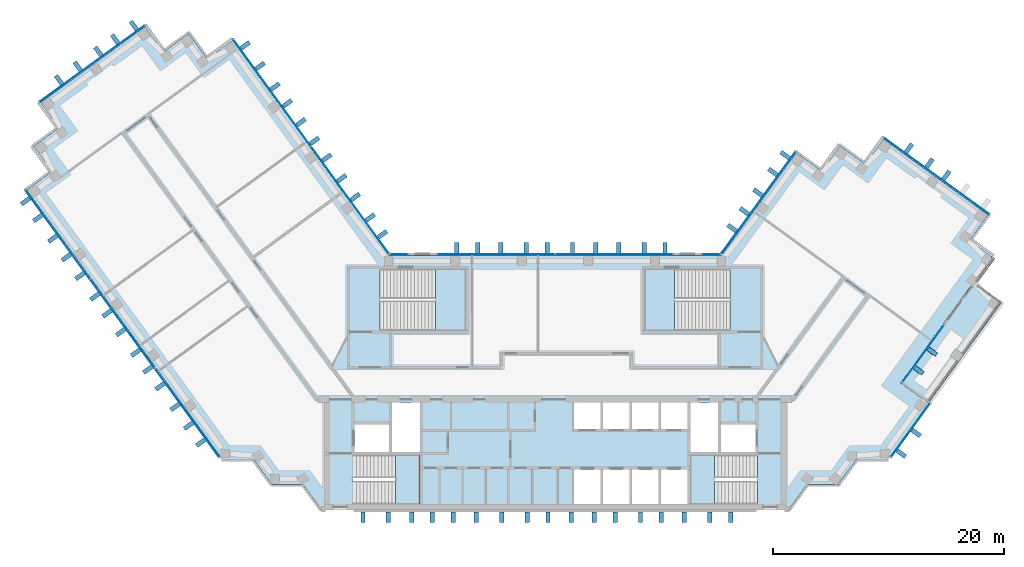
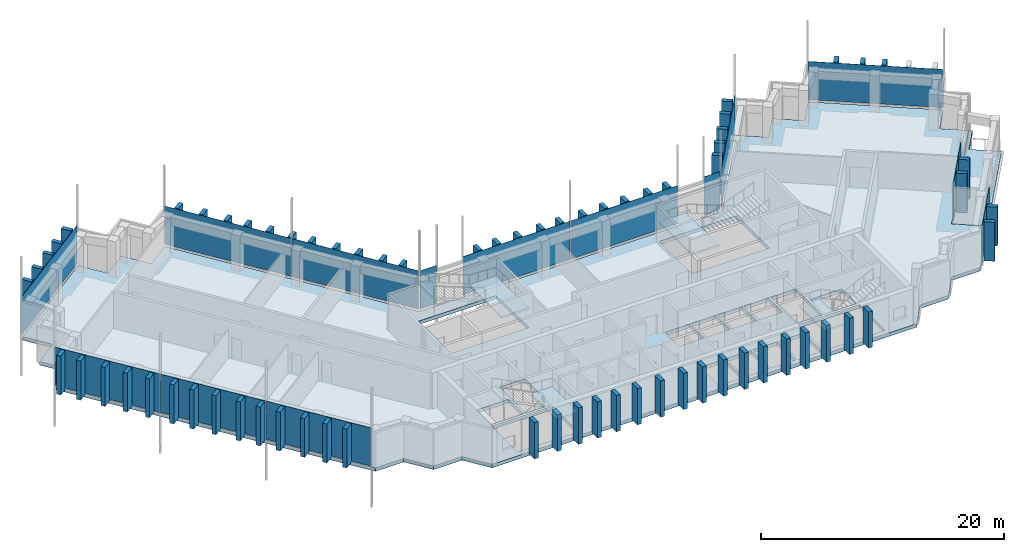
# One storey, part 6 of 14: 83 plates, 6 slabs, 14 elements without a shape of their own.
"""IFC4 building model written with IfcOpenShell, lengths in metres."""

from ifc_helpers import new_model, si_unit, direction, frame, origin, origin_2d, place, context, subcontext, project, spatial, polyline, rectangle, outline, extrude, material, layer, layer_set, type_object, element, aggregate, save


model = new_model("IFC4")

# Units and contexts
model_context = context("Model", 3, precision=1e-05, world=origin(), true_north=direction((0.0, 1.0)))
body_context = subcontext(model_context, "Body", "Model", "MODEL_VIEW")
ifc_project = project(units=[si_unit("LENGTHUNIT", "METRE"), si_unit("AREAUNIT", "SQUARE_METRE"), si_unit("VOLUMEUNIT", "CUBIC_METRE"), si_unit("PLANEANGLEUNIT", "RADIAN"), si_unit("MASSUNIT", "GRAM", prefix="KILO")], contexts=[model_context])

# Site, building, storey
site_placement = place(None, origin())
site = spatial("IfcSite", under=ifc_project, at=site_placement, CompositionType="ELEMENT")
building_placement = place(site_placement, origin())
building = spatial("IfcBuilding", under=site, at=building_placement, Name="Quipu Civic Tower", CompositionType="ELEMENT")
storey_placement = place(building_placement, frame((0.0, 0.0, 198.0)))
storey = spatial("IfcBuildingStorey", under=building, at=storey_placement, Name="L46", CompositionType="ELEMENT", Elevation=198.0)

# Slab
ifc_material_1 = material(Name="Concrete C40/50", Category="concrete")
ifc_layer_1 = layer(ifc_material_1, 0.35009765625)
ifc_layer_set_1 = layer_set([ifc_layer_1], Name="Concrete C40/50")
slab_type_1 = type_object("IfcSlabType", Name="Floor slab 350 C40/50", PredefinedType="FLOOR", material=ifc_layer_set_1)
slab_1_placement = place(storey_placement, frame((0.0, 0.0, -0.35009765625)))
element("IfcSlab", 1, at=slab_1_placement, inside=storey, type_object=slab_type_1, Name="Floor slab L46", PredefinedType="FLOOR", context=body_context, shape_type="SweptSolid", body=[
    extrude(outline(polyline([(24.489990234375, -8.81494140625), (21.7900390625, -8.81494140625), (20.205078125, -11.0), (-20.205078125, -11.0), (-21.7900390625, -8.81494140625), (-24.489990234375, -8.81494140625), (-26.080078125, -6.6298828125), (-28.780029296875, -6.6298828125), (-45.7099609375, 16.669921875), (-43.52490234375, 18.260009765625), (-45.114990234375, 20.445068359375), (-42.929931640625, 22.030029296875), (-44.514892578125, 24.215087890625), (-35.455078125, 30.800048828125), (-33.864990234375, 28.614990234375), (-31.68505859375, 30.199951171875), (-30.094970703125, 28.014892578125), (-27.909912109375, 29.60498046875), (-14.39501953125, 11.0), (14.39501953125, 11.0), (20.860107421875, 19.89501953125), (23.0400390625, 18.31005859375), (24.6298828125, 20.4951171875), (26.81494140625, 18.905029296875), (28.39990234375, 21.090087890625), (37.4599609375, 14.5048828125), (35.875, 12.320068359375), (37.81494140625, 10.909912109375), (29.8798828125, -0.010009765625), (32.31005859375, -1.77490234375), (28.780029296875, -6.6298828125), (26.080078125, -6.6298828125), (24.489990234375, -8.81494140625)]), holes=[polyline([(1.64990234375, -7.5), (1.64990234375, -10.5), (3.949951171875, -10.5), (3.949951171875, -7.5), (1.64990234375, -7.5)]), polyline([(4.14990234375, -7.5), (4.14990234375, -10.5), (6.449951171875, -10.5), (6.449951171875, -7.5), (4.14990234375, -7.5)]), polyline([(-11.705078125, -6.2548828125), (-17.4951171875, -6.2548828125), (-17.4951171875, -10.4951171875), (-11.705078125, -10.4951171875), (-11.705078125, -6.2548828125)]), polyline([(-17.35009765625, -3.60009765625), (-17.35009765625, -6.0), (-14.35009765625, -6.0), (-14.35009765625, -3.60009765625), (-17.35009765625, -3.60009765625)]), polyline([(-14.10009765625, -1.699951171875), (-14.10009765625, -6.0), (-11.699951171875, -6.0), (-11.699951171875, -1.699951171875), (-14.10009765625, -1.699951171875)]), polyline([(1.64990234375, -1.699951171875), (1.64990234375, -4.0), (3.949951171875, -4.0), (3.949951171875, -1.699951171875), (1.64990234375, -1.699951171875)]), polyline([(4.14990234375, -1.699951171875), (4.14990234375, -4.0), (6.449951171875, -4.0), (6.449951171875, -1.699951171875), (4.14990234375, -1.699951171875)]), polyline([(-7.7548828125, 9.844970703125), (-15.14501953125, 9.844970703125), (-15.14501953125, 4.5048828125), (-7.7548828125, 4.5048828125), (-7.7548828125, 9.844970703125)]), polyline([(6.64990234375, -7.5), (6.64990234375, -10.5), (8.949951171875, -10.5), (8.949951171875, -7.5), (6.64990234375, -7.5)]), polyline([(9.14990234375, -7.5), (9.14990234375, -10.5), (11.449951171875, -10.5), (11.449951171875, -7.5), (9.14990234375, -7.5)]), polyline([(11.705078125, -10.4951171875), (17.4951171875, -10.4951171875), (17.4951171875, -6.2548828125), (11.705078125, -6.2548828125), (11.705078125, -10.4951171875)]), polyline([(14.35009765625, -3.60009765625), (14.35009765625, -6.0), (17.35009765625, -6.0), (17.35009765625, -3.60009765625), (14.35009765625, -3.60009765625)]), polyline([(11.699951171875, -1.699951171875), (11.699951171875, -6.0), (14.10009765625, -6.0), (14.10009765625, -1.699951171875), (11.699951171875, -1.699951171875)]), polyline([(6.64990234375, -1.699951171875), (6.64990234375, -4.0), (8.949951171875, -4.0), (8.949951171875, -1.699951171875), (6.64990234375, -1.699951171875)]), polyline([(9.14990234375, -1.699951171875), (9.14990234375, -4.0), (11.449951171875, -4.0), (11.449951171875, -1.699951171875), (9.14990234375, -1.699951171875)]), polyline([(7.7548828125, 4.5048828125), (15.14501953125, 4.5048828125), (15.14501953125, 9.844970703125), (7.7548828125, 9.844970703125), (7.7548828125, 4.5048828125)])]), origin(), (0.0, 0.0, 1.0), 0.35009765625),
])

# Curtain wall, plate
ifc_material_2 = material(Name="Insulated glass unit", Category="glass")
curtain_wall_type = type_object("IfcCurtainWallType", Name="Office curtain wall CW1", PredefinedType="NOTDEFINED", material=ifc_material_2)
curtain_wall_1_placement = place(storey_placement, origin())
curtain_wall_1 = element("IfcCurtainWall", 2, at=curtain_wall_1_placement, inside=storey, type_object=curtain_wall_type, Name="Office curtain wall CW1 L46 run 1", PredefinedType="NOTDEFINED")
ifc_material_3 = material(Name="Insulated glass unit", Category="glass")
ifc_layer_2 = layer(ifc_material_3, 0.028076171875)
ifc_layer_set_2 = layer_set([ifc_layer_2], Name="Insulated glass unit")
plate_type_1 = type_object("IfcPlateType", Name="Glass panel CW1", PredefinedType="CURTAIN_PANEL", material=ifc_layer_set_2)
plate_1_placement = place(storey_placement, frame((30.72705078125, -4.1201171875, 0.240234375), z_axis=(0.0, 0.0, 1.0), x_axis=(0.587780721878, 0.809020285894, 0.0)))
plate_1 = element("IfcPlate", 3, at=plate_1_placement, type_object=plate_type_1, Name="CW1 panel 1.1", PredefinedType="CURTAIN_PANEL", context=body_context, shape_type="SweptSolid", body=[
    extrude(rectangle(XDim=5.696044921875, YDim=0.028076171875, at=origin_2d()), origin(), (0.0, 0.0, 1.0), 3.679931640625),
])
aggregate(curtain_wall_1, [plate_1])

curtain_wall_2_placement = place(storey_placement, origin())
curtain_wall_2 = element("IfcCurtainWall", 4, at=curtain_wall_2_placement, inside=storey, type_object=curtain_wall_type, Name="Office curtain wall CW1 L46 run 3", PredefinedType="NOTDEFINED")
plate_2_placement = place(storey_placement, frame((31.843017578125, 2.519775390625, 0.240234375), z_axis=(0.0, 0.0, 1.0), x_axis=(0.587787992023, 0.809015003837, 0.0)))
plate_2 = element("IfcPlate", 5, at=plate_2_placement, type_object=plate_type_1, Name="CW1 panel 1.1", PredefinedType="CURTAIN_PANEL", context=body_context, shape_type="SweptSolid", body=[
    extrude(rectangle(XDim=6.03955078125, YDim=0.028076171875, at=origin_2d()), origin(), (0.0, 0.0, 1.0), 3.679931640625),
])
aggregate(curtain_wall_2, [plate_2])

curtain_wall_3_placement = place(storey_placement, origin())
curtain_wall_3 = element("IfcCurtainWall", 6, at=curtain_wall_3_placement, inside=storey, type_object=curtain_wall_type, Name="Office curtain wall CW1 L45 run 6", PredefinedType="NOTDEFINED")
plate_3_placement = place(storey_placement, frame((32.989990234375, 17.87939453125, 0.16015625), z_axis=(0.0, 0.0, 1.0), x_axis=(-0.809015176832, 0.587787753918, 0.0)))
plate_3 = element("IfcPlate", 7, at=plate_3_placement, type_object=plate_type_1, Name="CW1 panel 1.2", PredefinedType="CURTAIN_PANEL", context=body_context, shape_type="SweptSolid", body=[
    extrude(rectangle(XDim=11.239990234375, YDim=0.028076171875, at=origin_2d()), origin(), (0.0, 0.0, 1.0), 3.840087890625),
])
aggregate(curtain_wall_3, [plate_3])

curtain_wall_4_placement = place(storey_placement, origin())
curtain_wall_4 = element("IfcCurtainWall", 8, at=curtain_wall_4_placement, inside=storey, type_object=curtain_wall_type, Name="Office curtain wall CW1 L45 run 11", PredefinedType="NOTDEFINED")
plate_4_placement = place(storey_placement, frame((17.590087890625, 15.5673828125, 0.16015625), z_axis=(0.0, 0.0, 1.0), x_axis=(-0.587787771652, -0.809015163947, 0.0)))
plate_4 = element("IfcPlate", 9, at=plate_4_placement, type_object=plate_type_1, Name="CW1 panel 1.2", PredefinedType="CURTAIN_PANEL", context=body_context, shape_type="SweptSolid", body=[
    extrude(rectangle(XDim=10.88427734375, YDim=0.028076171875, at=origin_2d()), origin(), (0.0, 0.0, 1.0), 3.840087890625),
])
aggregate(curtain_wall_4, [plate_4])

curtain_wall_5_placement = place(storey_placement, origin())
curtain_wall_5 = element("IfcCurtainWall", 10, at=curtain_wall_5_placement, inside=storey, type_object=curtain_wall_type, Name="Office curtain wall CW1 L45 run 12", PredefinedType="NOTDEFINED")
plate_5_placement = place(storey_placement, frame((13.49951171875, 11.10009765625, 0.16015625), z_axis=(0.0, 0.0, 1.0), x_axis=(-1.0, 0.0, 0.0)))
plate_5 = element("IfcPlate", 11, at=plate_5_placement, type_object=plate_type_1, Name="CW1 panel 1.2", PredefinedType="CURTAIN_PANEL", context=body_context, shape_type="SweptSolid", body=[
    extrude(rectangle(XDim=1.529296875, YDim=0.028076171875, at=origin_2d()), origin(), (0.0, 0.0, 1.0), 3.840087890625),
])
aggregate(curtain_wall_5, [plate_5])

# Curtain wall, plates
curtain_wall_6_placement = place(storey_placement, origin())
curtain_wall_6 = element("IfcCurtainWall", 12, at=curtain_wall_6_placement, inside=storey, type_object=curtain_wall_type, Name="Office curtain wall CW1 L45 run 14", PredefinedType="NOTDEFINED")
plate_6_placement = place(storey_placement, frame((5.11181640625, 11.10009765625, 0.16015625), z_axis=(0.0, 0.0, 1.0), x_axis=(-1.0, 0.0, 0.0)))
plate_6 = element("IfcPlate", 13, at=plate_6_placement, type_object=plate_type_1, Name="CW1 panel 1.2", PredefinedType="CURTAIN_PANEL", context=body_context, shape_type="SweptSolid", body=[
    extrude(rectangle(XDim=10.1435546875, YDim=0.028076171875, at=origin_2d()), origin(), (0.0, 0.0, 1.0), 3.840087890625),
])
plate_7_placement = place(storey_placement, frame((-5.11181640625, 11.10009765625, 0.16015625), z_axis=(0.0, 0.0, 1.0), x_axis=(-1.0, 0.0, 0.0)))
plate_7 = element("IfcPlate", 14, at=plate_7_placement, type_object=plate_type_1, Name="CW1 panel 2.2", PredefinedType="CURTAIN_PANEL", context=body_context, shape_type="SweptSolid", body=[
    extrude(rectangle(XDim=10.1435546875, YDim=0.028076171875, at=origin_2d()), origin(), (0.0, 0.0, 1.0), 3.840087890625),
])
aggregate(curtain_wall_6, [plate_6, plate_7])

# Curtain wall, plate
curtain_wall_7_placement = place(storey_placement, origin())
curtain_wall_7 = element("IfcCurtainWall", 15, at=curtain_wall_7_placement, inside=storey, type_object=curtain_wall_type, Name="Office curtain wall CW1 L45 run 16", PredefinedType="NOTDEFINED")
plate_8_placement = place(storey_placement, frame((-13.49951171875, 11.10009765625, 0.16015625), z_axis=(0.0, 0.0, 1.0), x_axis=(-1.0, 0.0, 0.0)))
plate_8 = element("IfcPlate", 16, at=plate_8_placement, type_object=plate_type_1, Name="CW1 panel 1.2", PredefinedType="CURTAIN_PANEL", context=body_context, shape_type="SweptSolid", body=[
    extrude(rectangle(XDim=1.529296875, YDim=0.028076171875, at=origin_2d()), origin(), (0.0, 0.0, 1.0), 3.840087890625),
])
aggregate(curtain_wall_7, [plate_8])

# Curtain wall, plates
curtain_wall_8_placement = place(storey_placement, origin())
curtain_wall_8 = element("IfcCurtainWall", 17, at=curtain_wall_8_placement, inside=storey, type_object=curtain_wall_type, Name="Office curtain wall CW1 L45 run 17", PredefinedType="NOTDEFINED")
plate_9_placement = place(storey_placement, frame((-17.7421875, 15.777099609375, 0.16015625), z_axis=(0.0, 0.0, 1.0), x_axis=(-0.587788727052, 0.809014469803, 0.0)))
plate_9 = element("IfcPlate", 18, at=plate_9_placement, type_object=plate_type_1, Name="CW1 panel 1.2", PredefinedType="CURTAIN_PANEL", context=body_context, shape_type="SweptSolid", body=[
    extrude(rectangle(XDim=11.402099609375, YDim=0.028076171875, at=origin_2d()), origin(), (0.0, 0.0, 1.0), 3.840087890625),
])
plate_10_placement = place(storey_placement, frame((-24.491455078125, 25.066162109375, 0.16015625), z_axis=(0.0, 0.0, 1.0), x_axis=(-0.587788727052, 0.809014469803, 0.0)))
plate_10 = element("IfcPlate", 19, at=plate_10_placement, type_object=plate_type_1, Name="CW1 panel 2.2", PredefinedType="CURTAIN_PANEL", context=body_context, shape_type="SweptSolid", body=[
    extrude(rectangle(XDim=11.402099609375, YDim=0.028076171875, at=origin_2d()), origin(), (0.0, 0.0, 1.0), 3.840087890625),
])
aggregate(curtain_wall_8, [plate_9, plate_10])

# Curtain wall, plate
curtain_wall_9_placement = place(storey_placement, origin())
curtain_wall_9 = element("IfcCurtainWall", 20, at=curtain_wall_9_placement, inside=storey, type_object=curtain_wall_type, Name="Office curtain wall CW1 L45 run 22", PredefinedType="NOTDEFINED")
plate_11_placement = place(storey_placement, frame((-40.04345703125, 27.58740234375, 0.16015625), z_axis=(0.0, 0.0, 1.0), x_axis=(-0.809015176832, -0.587787753918, 0.0)))
plate_11 = element("IfcPlate", 21, at=plate_11_placement, type_object=plate_type_1, Name="CW1 panel 1.2", PredefinedType="CURTAIN_PANEL", context=body_context, shape_type="SweptSolid", body=[
    extrude(rectangle(XDim=11.239990234375, YDim=0.028076171875, at=origin_2d()), origin(), (0.0, 0.0, 1.0), 3.840087890625),
])
aggregate(curtain_wall_9, [plate_11])

# Curtain wall, plates
curtain_wall_10_placement = place(storey_placement, origin())
curtain_wall_10 = element("IfcCurtainWall", 22, at=curtain_wall_10_placement, inside=storey, type_object=curtain_wall_type, Name="Office curtain wall CW1 L45 run 27", PredefinedType="NOTDEFINED")
plate_12_placement = place(storey_placement, frame((-43.030517578125, 12.814208984375, 0.16015625), z_axis=(0.0, 0.0, 1.0), x_axis=(0.5877856923, -0.80901667469, 0.0)))
plate_12 = element("IfcPlate", 23, at=plate_12_placement, type_object=plate_type_1, Name="CW1 panel 1.2", PredefinedType="CURTAIN_PANEL", context=body_context, shape_type="SweptSolid", body=[
    extrude(rectangle(XDim=9.43212890625, YDim=0.028076171875, at=origin_2d()), origin(), (0.0, 0.0, 1.0), 3.840087890625),
])
plate_13_placement = place(storey_placement, frame((-37.427734375, 5.102783203125, 0.16015625), z_axis=(0.0, 0.0, 1.0), x_axis=(0.5877856923, -0.80901667469, 0.0)))
plate_13 = element("IfcPlate", 24, at=plate_13_placement, type_object=plate_type_1, Name="CW1 panel 2.2", PredefinedType="CURTAIN_PANEL", context=body_context, shape_type="SweptSolid", body=[
    extrude(rectangle(XDim=9.471923828125, YDim=0.028076171875, at=origin_2d()), origin(), (0.0, 0.0, 1.0), 3.840087890625),
])
plate_14_placement = place(storey_placement, frame((-31.824951171875, -2.60888671875, 0.16015625), z_axis=(0.0, 0.0, 1.0), x_axis=(0.5877856923, -0.80901667469, 0.0)))
plate_14 = element("IfcPlate", 25, at=plate_14_placement, type_object=plate_type_1, Name="CW1 panel 3.2", PredefinedType="CURTAIN_PANEL", context=body_context, shape_type="SweptSolid", body=[
    extrude(rectangle(XDim=9.43212890625, YDim=0.028076171875, at=origin_2d()), origin(), (0.0, 0.0, 1.0), 3.840087890625),
])
aggregate(curtain_wall_10, [plate_12, plate_13, plate_14])

# Plates
ifc_material_4 = material(Name="Precast concrete C40/50", Category="concrete")
plate_type_2 = type_object("IfcPlateType", Name="Precast fin F2", PredefinedType="SHEET", material=ifc_material_4)
for number, where, z_axis, x_axis, name in (
    (26, (29.940673828125, -6.1376953125, 0.080078125), (0.0, 0.0, 1.0), (0.587780499868, 0.809020447192, 0.0), "Precast fin F2 L46.1.1"),
    (27, (31.23388671875, -4.35791015625, 0.080078125), (0.0, 0.0, 1.0), (0.587780499868, 0.809020447192, 0.0), "Precast fin F2 L46.1.2"),
    (28, (31.459228515625, 1.05615234375, 0.080078125), (0.0, 0.0, 1.0), (0.587786244816, 0.809016273264, 0.0), "Precast fin F2 L46.3.1"),
    (29, (32.634765625, 2.674072265625, 0.080078125), (0.0, 0.0, 1.0), (0.587786244816, 0.809016273264, 0.0), "Precast fin F2 L46.3.2"),
    (30, (33.847412109375, 17.936279296875, 0.080078125), (0.0, 0.0, 1.0), (-0.809017072762, 0.587785144401, 0.0), "Precast fin F2 L46.P02.3"),
    (31, (32.39111328125, 18.994384765625, 0.080078125), (0.0, 0.0, 1.0), (-0.809017072762, 0.587785144401, 0.0), "Precast fin F2 L46.P02.4"),
    (32, (30.611328125, 20.287353515625, 0.080078125), (0.0, 0.0, 1.0), (-0.809017072762, 0.587785144401, 0.0), "Precast fin F2 L46.P02.5"),
    (33, (19.897216796875, 19.6787109375, 0.080078125), (0.0, 0.0, 1.0), (-0.58778443384, -0.809017589015, 0.0), "Precast fin F2 L46.P07.1"),
    (34, (18.839111328125, 18.222412109375, 0.080078125), (0.0, 0.0, 1.0), (-0.58778443384, -0.809017589015, 0.0), "Precast fin F2 L46.P07.2"),
    (35, (17.546142578125, 16.442626953125, 0.080078125), (0.0, 0.0, 1.0), (-0.58778443384, -0.809017589015, 0.0), "Precast fin F2 L46.P07.3"),
    (36, (16.370361328125, 14.824462890625, 0.080078125), (0.0, 0.0, 1.0), (-0.58778443384, -0.809017589015, 0.0), "Precast fin F2 L46.P07.4"),
    (37, (15.3125, 13.368408203125, 0.080078125), (0.0, 0.0, 1.0), (-0.58778443384, -0.809017589015, 0.0), "Precast fin F2 L46.P07.5"),
    (38, (9.510009765625, 11.64990234375, 0.080078125), (0.0, 0.0, 1.0), (-1.0, 0.0, 0.0), "Precast fin F2 L46.P10.1"),
    (39, (7.7099609375, 11.64990234375, 0.080078125), (0.0, 0.0, 1.0), (-1.0, 0.0, 0.0), "Precast fin F2 L46.P10.2"),
    (40, (5.510009765625, 11.64990234375, 0.080078125), (0.0, 0.0, 1.0), (-1.0, 0.0, 0.0), "Precast fin F2 L46.P10.3"),
    (41, (3.510009765625, 11.64990234375, 0.080078125), (0.0, 0.0, 1.0), (-1.0, 0.0, 0.0), "Precast fin F2 L46.P10.4"),
    (42, (1.510009765625, 11.64990234375, 0.080078125), (0.0, 0.0, 1.0), (-1.0, 0.0, 0.0), "Precast fin F2 L46.P10.5"),
    (43, (-0.68994140625, 11.64990234375, 0.080078125), (0.0, 0.0, 1.0), (-1.0, 0.0, 0.0), "Precast fin F2 L46.P10.6"),
    (44, (-2.489990234375, 11.64990234375, 0.080078125), (0.0, 0.0, 1.0), (-1.0, 0.0, 0.0), "Precast fin F2 L46.P10.7"),
    (45, (-4.68994140625, 11.64990234375, 0.080078125), (0.0, 0.0, 1.0), (-1.0, 0.0, 0.0), "Precast fin F2 L46.P10.8"),
    (46, (-6.68994140625, 11.64990234375, 0.080078125), (0.0, 0.0, 1.0), (-1.0, 0.0, 0.0), "Precast fin F2 L46.P10.9"),
    (47, (-8.489990234375, 11.64990234375, 0.080078125), (0.0, 0.0, 1.0), (-1.0, 0.0, 0.0), "Precast fin F2 L46.P10.10"),
    (48, (-14.92138671875, 12.830078125, 0.080078125), (0.0, 0.0, 1.0), (-0.587787133119, 0.809015627871, 0.0), "Precast fin F2 L46.P13.1"),
    (49, (-15.9794921875, 14.286376953125, 0.080078125), (0.0, 0.0, 1.0), (-0.587787133119, 0.809015627871, 0.0), "Precast fin F2 L46.P13.2"),
    (50, (-17.272705078125, 16.066162109375, 0.080078125), (0.0, 0.0, 1.0), (-0.587787133119, 0.809015627871, 0.0), "Precast fin F2 L46.P13.3"),
    (51, (-18.4482421875, 17.684326171875, 0.080078125), (0.0, 0.0, 1.0), (-0.587787133119, 0.809015627871, 0.0), "Precast fin F2 L46.P13.4"),
    (52, (-19.741455078125, 19.464111328125, 0.080078125), (0.0, 0.0, 1.0), (-0.587787133119, 0.809015627871, 0.0), "Precast fin F2 L46.P13.5"),
    (53, (-20.79931640625, 20.92041015625, 0.080078125), (0.0, 0.0, 1.0), (-0.587787133119, 0.809015627871, 0.0), "Precast fin F2 L46.P13.6"),
    (54, (-21.974853515625, 22.538330078125, 0.080078125), (0.0, 0.0, 1.0), (-0.587787133119, 0.809015627871, 0.0), "Precast fin F2 L46.P13.7"),
    (55, (-23.150390625, 24.156494140625, 0.080078125), (0.0, 0.0, 1.0), (-0.587787133119, 0.809015627871, 0.0), "Precast fin F2 L46.P13.8"),
    (56, (-24.20849609375, 25.612548828125, 0.080078125), (0.0, 0.0, 1.0), (-0.587787133119, 0.809015627871, 0.0), "Precast fin F2 L46.P13.9"),
    (57, (-25.501708984375, 27.392578125, 0.080078125), (0.0, 0.0, 1.0), (-0.587787133119, 0.809015627871, 0.0), "Precast fin F2 L46.P13.10"),
    (58, (-26.794677734375, 29.17236328125, 0.080078125), (0.0, 0.0, 1.0), (-0.587787133119, 0.809015627871, 0.0), "Precast fin F2 L46.P13.11"),
    (59, (-36.434814453125, 30.88916015625, 0.080078125), (0.0, 0.0, 1.0), (-0.809017072762, -0.587785144401, 0.0), "Precast fin F2 L46.P18.1"),
    (60, (-38.052978515625, 29.713623046875, 0.080078125), (0.0, 0.0, 1.0), (-0.809017072762, -0.587785144401, 0.0), "Precast fin F2 L46.P18.2"),
    (61, (-39.50927734375, 28.655517578125, 0.080078125), (0.0, 0.0, 1.0), (-0.809017072762, -0.587785144401, 0.0), "Precast fin F2 L46.P18.3"),
    (62, (-41.2890625, 27.3623046875, 0.080078125), (0.0, 0.0, 1.0), (-0.809017072762, -0.587785144401, 0.0), "Precast fin F2 L46.P18.4"),
    (63, (-42.906982421875, 26.186767578125, 0.080078125), (0.0, 0.0, 1.0), (-0.809017072762, -0.587785144401, 0.0), "Precast fin F2 L46.P18.5"),
    (64, (-45.80078125, 15.69140625, 0.080078125), (0.0, 0.0, 1.0), (0.587785620359, -0.809016726959, 0.0), "Precast fin F2 L46.P23.1"),
    (65, (-44.74267578125, 14.2353515625, 0.080078125), (0.0, 0.0, 1.0), (0.587785620359, -0.809016726959, 0.0), "Precast fin F2 L46.P23.2"),
    (66, (-43.449462890625, 12.455322265625, 0.080078125), (0.0, 0.0, 1.0), (0.587785620359, -0.809016726959, 0.0), "Precast fin F2 L46.P23.3"),
    (67, (-42.27392578125, 10.83740234375, 0.080078125), (0.0, 0.0, 1.0), (0.587785620359, -0.809016726959, 0.0), "Precast fin F2 L46.P23.4"),
    (68, (-41.098388671875, 9.21923828125, 0.080078125), (0.0, 0.0, 1.0), (0.587785620359, -0.809016726959, 0.0), "Precast fin F2 L46.P23.5"),
    (69, (-39.80517578125, 7.439453125, 0.080078125), (0.0, 0.0, 1.0), (0.587785620359, -0.809016726959, 0.0), "Precast fin F2 L46.P23.6"),
    (70, (-38.747314453125, 5.983154296875, 0.080078125), (0.0, 0.0, 1.0), (0.587785620359, -0.809016726959, 0.0), "Precast fin F2 L46.P23.7"),
    (71, (-37.57177734375, 4.365234375, 0.080078125), (0.0, 0.0, 1.0), (0.587785620359, -0.809016726959, 0.0), "Precast fin F2 L46.P23.8"),
    (72, (-36.278564453125, 2.58544921875, 0.080078125), (0.0, 0.0, 1.0), (0.587785620359, -0.809016726959, 0.0), "Precast fin F2 L46.P23.9"),
    (73, (-35.220458984375, 1.129150390625, 0.080078125), (0.0, 0.0, 1.0), (0.587785620359, -0.809016726959, 0.0), "Precast fin F2 L46.P23.10"),
    (74, (-34.16259765625, -0.3271484375, 0.080078125), (0.0, 0.0, 1.0), (0.587785620359, -0.809016726959, 0.0), "Precast fin F2 L46.P23.11"),
    (75, (-32.869384765625, -2.10693359375, 0.080078125), (0.0, 0.0, 1.0), (0.587785620359, -0.809016726959, 0.0), "Precast fin F2 L46.P23.12"),
    (76, (-31.69384765625, -3.724853515625, 0.080078125), (0.0, 0.0, 1.0), (0.587785620359, -0.809016726959, 0.0), "Precast fin F2 L46.P23.13"),
    (77, (-30.6357421875, -5.18115234375, 0.080078125), (0.0, 0.0, 1.0), (0.587785620359, -0.809016726959, 0.0), "Precast fin F2 L46.P23.14"),
):
    element("IfcPlate", number, at=place(storey_placement, frame(where, z_axis=z_axis, x_axis=x_axis)), inside=storey, type_object=plate_type_2, Name=name, PredefinedType="SHEET", context=body_context, shape_type="SweptSolid", body=[
        extrude(rectangle(XDim=0.3798828125, YDim=0.89990234375, at=origin_2d()), origin(), (0.0, 0.0, 1.0), 3.919921875),
    ])
for number, where, z_axis, x_axis, name in (
    (78, (-16.610107421875, -11.637939453125, 0.0), (0.0, 0.0, 1.0), (1.0, 0.0, 0.0), "Precast fin F2 L46.P30.1"),
    (79, (-14.409912109375, -11.637939453125, 0.0), (0.0, 0.0, 1.0), (1.0, 0.0, 0.0), "Precast fin F2 L46.P30.2"),
    (80, (-12.409912109375, -11.637939453125, 0.0), (0.0, 0.0, 1.0), (1.0, 0.0, 0.0), "Precast fin F2 L46.P30.3"),
    (81, (-10.610107421875, -11.637939453125, 0.0), (0.0, 0.0, 1.0), (1.0, 0.0, 0.0), "Precast fin F2 L46.P30.4"),
    (82, (-8.81005859375, -11.637939453125, 0.0), (0.0, 0.0, 1.0), (1.0, 0.0, 0.0), "Precast fin F2 L46.P30.5"),
    (83, (-6.81005859375, -11.637939453125, 0.0), (0.0, 0.0, 1.0), (1.0, 0.0, 0.0), "Precast fin F2 L46.P30.6"),
    (84, (-4.610107421875, -11.637939453125, 0.0), (0.0, 0.0, 1.0), (1.0, 0.0, 0.0), "Precast fin F2 L46.P30.7"),
    (85, (-2.409912109375, -11.637939453125, 0.0), (0.0, 0.0, 1.0), (1.0, 0.0, 0.0), "Precast fin F2 L46.P30.8"),
    (86, (-0.610107421875, -11.637939453125, 0.0), (0.0, 0.0, 1.0), (1.0, 0.0, 0.0), "Precast fin F2 L46.P30.9"),
    (87, (1.389892578125, -11.637939453125, 0.0), (0.0, 0.0, 1.0), (1.0, 0.0, 0.0), "Precast fin F2 L46.P30.10"),
    (88, (3.389892578125, -11.637939453125, 0.0), (0.0, 0.0, 1.0), (1.0, 0.0, 0.0), "Precast fin F2 L46.P30.11"),
    (89, (5.18994140625, -11.637939453125, 0.0), (0.0, 0.0, 1.0), (1.0, 0.0, 0.0), "Precast fin F2 L46.P30.12"),
    (90, (7.389892578125, -11.637939453125, 0.0), (0.0, 0.0, 1.0), (1.0, 0.0, 0.0), "Precast fin F2 L46.P30.13"),
    (91, (9.18994140625, -11.637939453125, 0.0), (0.0, 0.0, 1.0), (1.0, 0.0, 0.0), "Precast fin F2 L46.P30.14"),
    (92, (11.18994140625, -11.637939453125, 0.0), (0.0, 0.0, 1.0), (1.0, 0.0, 0.0), "Precast fin F2 L46.P30.15"),
    (93, (13.389892578125, -11.637939453125, 0.0), (0.0, 0.0, 1.0), (1.0, 0.0, 0.0), "Precast fin F2 L46.P30.16"),
    (94, (15.18994140625, -11.637939453125, 0.0), (0.0, 0.0, 1.0), (1.0, 0.0, 0.0), "Precast fin F2 L46.P30.17"),
):
    element("IfcPlate", number, at=place(storey_placement, frame(where, z_axis=z_axis, x_axis=x_axis)), inside=storey, type_object=plate_type_2, Name=name, PredefinedType="SHEET", context=body_context, shape_type="SweptSolid", body=[
        extrude(rectangle(XDim=0.3798828125, YDim=0.89990234375, at=origin_2d()), origin(), (0.0, 0.0, 1.0), 3.64990234375),
    ])

# Stair, slab
ifc_material_5 = material(Name="Concrete C40/50", Category="concrete")
stair_type_1 = type_object("IfcStairType", Name="Half turn stair 2000", PredefinedType="HALF_TURN_STAIR", material=ifc_material_5)
stair_1_placement = place(storey_placement, origin())
stair_1 = element("IfcStair", 95, at=stair_1_placement, inside=storey, type_object=stair_type_1, Name="Exit stair 1", PredefinedType="HALF_TURN_STAIR")
ifc_material_6 = material(Name="Concrete C40/50", Category="concrete")
ifc_layer_3 = layer(ifc_material_6, 0.199951171875)
ifc_layer_set_3 = layer_set([ifc_layer_3], Name="Concrete C40/50")
slab_type_2 = type_object("IfcSlabType", Name="Stair landing 200", PredefinedType="LANDING", material=ifc_layer_set_3)
slab_2_placement = place(storey_placement, frame((0.0, 0.0, 1.800048828125)))
slab_2 = element("IfcSlab", 96, at=slab_2_placement, type_object=slab_type_2, Name="ST-1 landing 1", PredefinedType="LANDING", context=body_context, shape_type="SweptSolid", body=[
    extrude(outline(polyline([(-13.780029296875, -10.5), (-11.699951171875, -10.5), (-11.699951171875, -6.25), (-13.780029296875, -6.25), (-13.780029296875, -10.5)])), origin(), (0.0, 0.0, 1.0), 0.199951171875),
])
aggregate(stair_1, [slab_2])

stair_2_placement = place(storey_placement, origin())
stair_2 = element("IfcStair", 97, at=stair_2_placement, inside=storey, type_object=stair_type_1, Name="Exit stair 2", PredefinedType="HALF_TURN_STAIR")
slab_3_placement = place(storey_placement, frame((0.0, 0.0, 1.800048828125)))
slab_3 = element("IfcSlab", 98, at=slab_3_placement, type_object=slab_type_2, Name="ST-2 landing 1", PredefinedType="LANDING", context=body_context, shape_type="SweptSolid", body=[
    extrude(outline(polyline([(13.780029296875, -6.25), (11.699951171875, -6.25), (11.699951171875, -10.5), (13.780029296875, -10.5), (13.780029296875, -6.25)])), origin(), (0.0, 0.0, 1.0), 0.199951171875),
])
aggregate(stair_2, [slab_3])

ifc_material_7 = material(Name="Concrete C40/50", Category="concrete")
stair_type_2 = type_object("IfcStairType", Name="Half turn stair 2600", PredefinedType="HALF_TURN_STAIR", material=ifc_material_7)
stair_3_placement = place(storey_placement, origin())
stair_3 = element("IfcStair", 99, at=stair_3_placement, inside=storey, type_object=stair_type_2, Name="Exit stair 3", PredefinedType="HALF_TURN_STAIR")
slab_4_placement = place(storey_placement, frame((0.0, 0.0, 1.800048828125)))
slab_4 = element("IfcSlab", 100, at=slab_4_placement, type_object=slab_type_2, Name="ST-3 landing 1", PredefinedType="LANDING", context=body_context, shape_type="SweptSolid", body=[
    extrude(outline(polyline([(-10.35009765625, 4.5), (-7.75, 4.5), (-7.75, 9.85009765625), (-10.35009765625, 9.85009765625), (-10.35009765625, 4.5)])), origin(), (0.0, 0.0, 1.0), 0.199951171875),
])
aggregate(stair_3, [slab_4])

stair_4_placement = place(storey_placement, origin())
stair_4 = element("IfcStair", 101, at=stair_4_placement, inside=storey, type_object=stair_type_2, Name="Exit stair 4", PredefinedType="HALF_TURN_STAIR")
slab_5_placement = place(storey_placement, frame((0.0, 0.0, 1.800048828125)))
slab_5 = element("IfcSlab", 102, at=slab_5_placement, type_object=slab_type_2, Name="ST-4 landing 1", PredefinedType="LANDING", context=body_context, shape_type="SweptSolid", body=[
    extrude(outline(polyline([(10.35009765625, 9.85009765625), (7.75, 9.85009765625), (7.75, 4.5), (10.35009765625, 4.5), (10.35009765625, 9.85009765625)])), origin(), (0.0, 0.0, 1.0), 0.199951171875),
])
aggregate(stair_4, [slab_5])

# Slab
ifc_material_8 = material(Name="Concrete C40/50", Category="concrete")
ifc_layer_4 = layer(ifc_material_8, 0.35009765625)
ifc_layer_set_4 = layer_set([ifc_layer_4], Name="Concrete C40/50")
slab_type_3 = type_object("IfcSlabType", Name="Terrace slab 350 C40/50", PredefinedType="FLOOR", material=ifc_layer_set_4)
slab_6_placement = place(storey_placement, frame((0.0, 0.0, -0.35009765625)))
element("IfcSlab", 103, at=slab_6_placement, inside=storey, type_object=slab_type_3, Name="Terrace slab L46", PredefinedType="FLOOR", context=body_context, shape_type="SweptSolid", body=[
    extrude(outline(polyline([(38.06005859375, 10.735107421875), (36.469970703125, 8.550048828125), (38.655029296875, 6.965087890625), (32.31005859375, -1.77490234375), (29.8798828125, -0.010009765625), (37.81494140625, 10.909912109375), (38.06005859375, 10.735107421875)])), origin(), (0.0, 0.0, 1.0), 0.35009765625),
])

save(model, "model.ifc")
